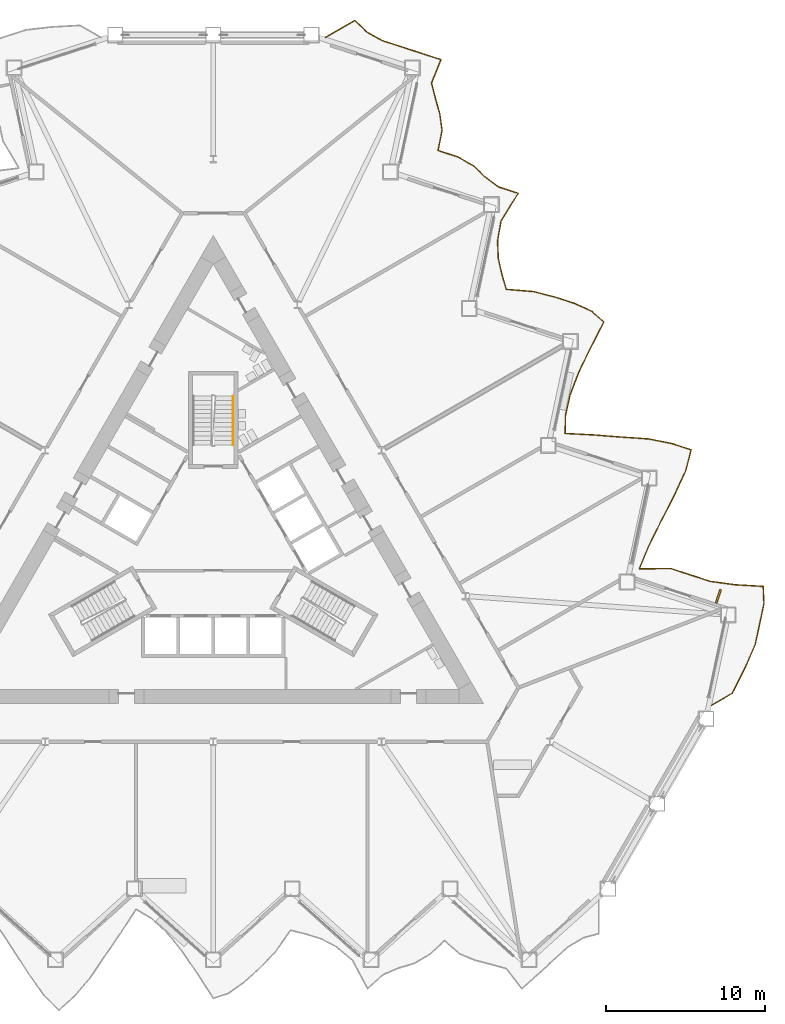
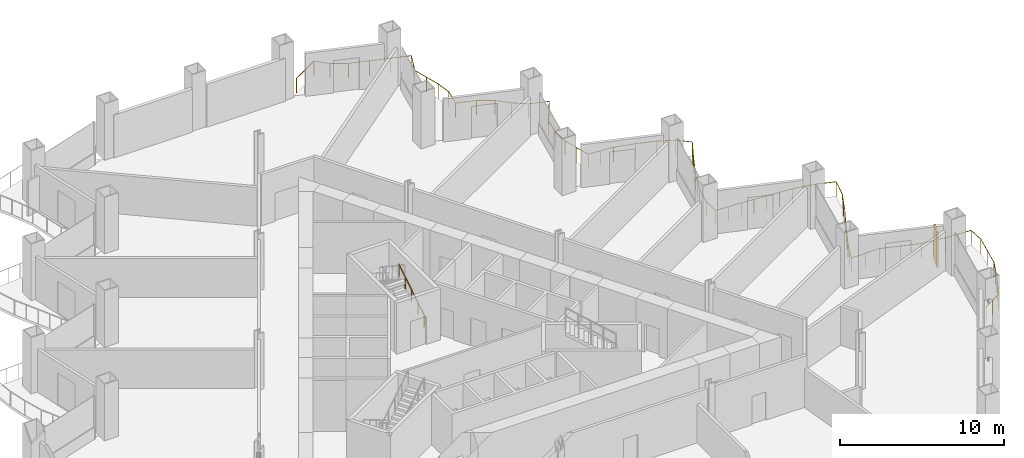
# One storey, part 19 of 21: 2 railings, 1 shading device.
"""IFC4 building model written with IfcOpenShell, lengths in metres."""

from ifc_helpers import new_model, si_unit, direction, frame, origin, origin_2d, place, context, subcontext, project, spatial, rectangle, circle, extrude, material, layer, layer_set, type_object, element, save


model = new_model("IFC4")

# Units and contexts
model_context = context("Model", 3, precision=1e-05, world=origin(), true_north=direction((0.0, 1.0)))
body_context = subcontext(model_context, "Body", "Model", "MODEL_VIEW")
ifc_project = project(units=[si_unit("LENGTHUNIT", "METRE"), si_unit("AREAUNIT", "SQUARE_METRE"), si_unit("VOLUMEUNIT", "CUBIC_METRE"), si_unit("PLANEANGLEUNIT", "RADIAN"), si_unit("MASSUNIT", "GRAM", prefix="KILO")], contexts=[model_context])

# Site, building, storey
site_placement = place(None, origin())
site = spatial("IfcSite", under=ifc_project, at=site_placement, CompositionType="ELEMENT")
building_placement = place(site_placement, origin())
building = spatial("IfcBuilding", under=site, at=building_placement, Name="Cormorant Prow Tower", CompositionType="ELEMENT")
storey_placement = place(building_placement, frame((0.0, 0.0, 46.800048828125)))
storey = spatial("IfcBuildingStorey", under=building, at=storey_placement, Name="L09", CompositionType="ELEMENT", Elevation=46.800048828125)

# Railings
ifc_material_1 = material(Name="Aluminium 6063-T6", Category="aluminium")
railing_type_1 = type_object("IfcRailingType", Name="Balcony guard 1100", PredefinedType="GUARDRAIL", material=ifc_material_1)
railing_1_placement = place(storey_placement, frame((31.3291015625, -9.928955078125, 0.0)))
element("IfcRailing", 1, at=railing_1_placement, inside=storey, type_object=railing_type_1, Name="Balcony guard ENE", PredefinedType="GUARDRAIL", context=body_context, shape_type="SweptSolid", body=[
    extrude(circle(Radius=0.02392578125, at=origin_2d()), frame((0.0, 0.0, 1.076171875), z_axis=(0.866030456496, 0.499991248344, 0.0), x_axis=(-0.499991248344, 0.866030456496, 0.0)), (0.0, 0.0, 1.0), 1.52001953125),
    extrude(circle(Radius=0.02392578125, at=origin_2d()), frame((1.31640625, 0.760009765625, 1.076171875), z_axis=(0.451937076677, 0.892049818522, 0.0), x_axis=(-0.892049818522, 0.451937076677, 0.0)), (0.0, 0.0, 1.0), 1.775634765625),
    extrude(circle(Radius=0.02392578125, at=origin_2d()), frame((2.118896484375, 2.343994140625, 1.076171875), z_axis=(0.39848525464, 0.917174738986, 0.0), x_axis=(-0.917174738986, 0.39848525464, 0.0)), (0.0, 0.0, 1.0), 1.630859375),
    extrude(circle(Radius=0.02392578125, at=origin_2d()), frame((2.768798828125, 3.83984375, 1.076171875), z_axis=(0.207894531291, 0.978151247946, 0.0), x_axis=(-0.978151247946, 0.207894531291, 0.0)), (0.0, 0.0, 1.0), 1.305908203125),
    extrude(circle(Radius=0.02392578125, at=origin_2d()), frame((3.040283203125, 5.1171875, 1.076171875), z_axis=(0.207856520253, 0.978159325973, 0.0), x_axis=(-0.978159325973, 0.207856520253, 0.0)), (0.0, 0.0, 1.0), 1.30615234375),
    extrude(circle(Radius=0.02392578125, at=origin_2d()), frame((3.311767578125, 6.394775390625, 1.076171875), z_axis=(-0.042827380547, 0.999082486823, 0.0), x_axis=(-0.999082486823, -0.042827380547, 0.0)), (0.0, 0.0, 1.0), 1.094482421875),
    extrude(circle(Radius=0.02392578125, at=origin_2d()), frame((3.264892578125, 7.48828125, 1.076171875), z_axis=(-0.998305217064, 0.058195305509, 0.0), x_axis=(-0.058195305509, -0.998305217064, 0.0)), (0.0, 0.0, 1.0), 1.76611328125),
    extrude(circle(Radius=0.02392578125, at=origin_2d()), frame((1.501708984375, 7.591064453125, 1.076171875), z_axis=(-0.990928266356, 0.134391855916, 0.0), x_axis=(-0.134391855916, -0.990928266356, 0.0)), (0.0, 0.0, 1.0), 1.5859375),
    extrude(circle(Radius=0.02392578125, at=origin_2d()), frame((-0.06982421875, 7.80419921875, 1.076171875), z_axis=(-0.951067031183, 0.308984631004, 0.0), x_axis=(-0.308984631004, -0.951067031183, 0.0)), (0.0, 0.0, 1.0), 1.30615234375),
    extrude(circle(Radius=0.02392578125, at=origin_2d()), frame((-1.31201171875, 8.207763671875, 1.076171875), z_axis=(-0.951012089022, 0.309153694033, 0.0), x_axis=(-0.309153694033, -0.951012089022, 0.0)), (0.0, 0.0, 1.0), 1.30615234375),
    extrude(circle(Radius=0.02392578125, at=origin_2d()), frame((-2.55419921875, 8.611572265625, 1.076171875), z_axis=(-0.999956902036, -0.009284076214, 0.0), x_axis=(0.009284076214, -0.999956902036, 0.0)), (0.0, 0.0, 1.0), 1.97216796875),
    extrude(circle(Radius=0.02392578125, at=origin_2d()), frame((-4.5263671875, 8.59326171875, 1.076171875), z_axis=(0.384029357558, 0.923320882756, 0.0), x_axis=(-0.923320882756, 0.384029357558, 0.0)), (0.0, 0.0, 1.0), 1.59765625),
    extrude(circle(Radius=0.02392578125, at=origin_2d()), frame((-3.912841796875, 10.068359375, 1.076171875), z_axis=(0.444874286248, 0.895593026679, 0.0), x_axis=(-0.895593026679, 0.444874286248, 0.0)), (0.0, 0.0, 1.0), 1.75439453125),
    extrude(circle(Radius=0.02392578125, at=origin_2d()), frame((-3.13232421875, 11.6396484375, 1.076171875), z_axis=(0.456252917829, 0.889850141862, 0.0), x_axis=(-0.889850141862, 0.456252917829, 0.0)), (0.0, 0.0, 1.0), 1.788818359375),
    extrude(circle(Radius=0.02392578125, at=origin_2d()), frame((-2.316162109375, 13.2314453125, 1.076171875), z_axis=(0.421357614178, 0.906894569933, 0.0), x_axis=(-0.906894569933, 0.421357614178, 0.0)), (0.0, 0.0, 1.0), 1.68896484375),
    extrude(circle(Radius=0.02392578125, at=origin_2d()), frame((-1.6044921875, 14.76318359375, 1.076171875), z_axis=(0.247192643153, 0.968966355025, 0.0), x_axis=(-0.968966355025, 0.247192643153, 0.0)), (0.0, 0.0, 1.0), 1.35595703125),
    extrude(circle(Radius=0.02392578125, at=origin_2d()), frame((-1.269287109375, 16.0771484375, 1.076171875), z_axis=(-0.951067031183, 0.308984631004, 0.0), x_axis=(-0.308984631004, -0.951067031183, 0.0)), (0.0, 0.0, 1.0), 1.30615234375),
    extrude(circle(Radius=0.02392578125, at=origin_2d()), frame((-2.511474609375, 16.480712890625, 1.076171875), z_axis=(-0.9812990528, 0.192489399639, 0.0), x_axis=(-0.192489399639, -0.9812990528, 0.0)), (0.0, 0.0, 1.0), 1.476318359375),
    extrude(circle(Radius=0.02392578125, at=origin_2d()), frame((-3.960205078125, 16.764892578125, 1.076171875), z_axis=(-0.99769363246, 0.067877947443, 0.0), x_axis=(-0.067877947443, -0.99769363246, 0.0)), (0.0, 0.0, 1.0), 1.74072265625),
    extrude(circle(Radius=0.02392578125, at=origin_2d()), frame((-5.697021484375, 16.883056640625, 1.076171875), z_axis=(-0.996974392807, 0.077730689486, 0.0), x_axis=(-0.077730689486, -0.996974392807, 0.0)), (0.0, 0.0, 1.0), 1.71484375),
    extrude(circle(Radius=0.02392578125, at=origin_2d()), frame((-7.40673828125, 17.016357421875, 1.076171875), z_axis=(-0.998683894035, 0.051288203268, 0.0), x_axis=(-0.051288203268, -0.998683894035, 0.0)), (0.0, 0.0, 1.0), 1.78515625),
    extrude(circle(Radius=0.02392578125, at=origin_2d()), frame((-9.189453125, 17.10791015625, 1.076171875), z_axis=(0.014901153141, 0.999888971654, 0.0), x_axis=(-0.999888971654, 0.014901153141, 0.0)), (0.0, 0.0, 1.0), 1.130615234375),
    extrude(circle(Radius=0.02392578125, at=origin_2d()), frame((-9.172607421875, 18.23828125, 1.076171875), z_axis=(0.218732722516, 0.975784810345, 0.0), x_axis=(-0.975784810345, 0.218732722516, 0.0)), (0.0, 0.0, 1.0), 1.3193359375),
    extrude(circle(Radius=0.02392578125, at=origin_2d()), frame((-8.884033203125, 19.525634765625, 1.076171875), z_axis=(0.359561509634, 0.933121385882, 0.0), x_axis=(-0.933121385882, 0.359561509634, 0.0)), (0.0, 0.0, 1.0), 1.544677734375),
    extrude(circle(Radius=0.02392578125, at=origin_2d()), frame((-8.32861328125, 20.967041015625, 1.076171875), z_axis=(0.434658027233, 0.900595580359, 0.0), x_axis=(-0.900595580359, 0.434658027233, 0.0)), (0.0, 0.0, 1.0), 1.724853515625),
    extrude(circle(Radius=0.02392578125, at=origin_2d()), frame((-7.578857421875, 22.5205078125, 1.076171875), z_axis=(0.457584866633, 0.889165951793, 0.0), x_axis=(-0.889165951793, 0.457584866633, 0.0)), (0.0, 0.0, 1.0), 1.793212890625),
    extrude(circle(Radius=0.02392578125, at=origin_2d()), frame((-6.75830078125, 24.114990234375, 1.076171875), z_axis=(-0.74665768623, 0.66520846326, 0.0), x_axis=(-0.66520846326, -0.74665768623, 0.0)), (0.0, 0.0, 1.0), 1.022216796875),
    extrude(circle(Radius=0.02392578125, at=origin_2d()), frame((-7.521484375, 24.794921875, 1.076171875), z_axis=(-0.909867877783, 0.414898113974, 0.0), x_axis=(-0.414898113974, -0.909867877783, 0.0)), (0.0, 0.0, 1.0), 1.192138671875),
    extrude(circle(Radius=0.02392578125, at=origin_2d()), frame((-8.606201171875, 25.28955078125, 1.076171875), z_axis=(-0.951104117502, 0.308870454514, 0.0), x_axis=(-0.308870454514, -0.951104117502, 0.0)), (0.0, 0.0, 1.0), 1.305908203125),
    extrude(circle(Radius=0.02392578125, at=origin_2d()), frame((-9.84814453125, 25.69287109375, 1.076171875), z_axis=(-0.969321725621, 0.245795427619, 0.0), x_axis=(-0.245795427619, -0.969321725621, 0.0)), (0.0, 0.0, 1.0), 1.3916015625),
    extrude(circle(Radius=0.02392578125, at=origin_2d()), frame((-11.197021484375, 26.034912109375, 1.076171875), z_axis=(-0.996719078187, 0.080938737196, 0.0), x_axis=(-0.080938737196, -0.996719078187, 0.0)), (0.0, 0.0, 1.0), 1.707275390625),
    extrude(circle(Radius=0.02392578125, at=origin_2d()), frame((-12.898681640625, 26.173095703125, 1.076171875), z_axis=(-0.276623125557, 0.960978483842, 0.0), x_axis=(-0.960978483842, -0.276623125557, 0.0)), (0.0, 0.0, 1.0), 1.0),
    extrude(circle(Radius=0.02392578125, at=origin_2d()), frame((-13.17529296875, 27.134033203125, 1.076171875), z_axis=(-0.219752211959, 0.975555721289, 0.0), x_axis=(-0.975555721289, -0.219752211959, 0.0)), (0.0, 0.0, 1.0), 1.0166015625),
    extrude(circle(Radius=0.02392578125, at=origin_2d()), frame((-13.398681640625, 28.125732421875, 1.076171875), z_axis=(-0.03985245054, 0.999205575538, 0.0), x_axis=(-0.999205575538, -0.03985245054, 0.0)), (0.0, 0.0, 1.0), 1.0966796875),
    extrude(circle(Radius=0.02392578125, at=origin_2d()), frame((-13.4423828125, 29.221435546875, 1.076171875), z_axis=(0.172122886005, 0.98507548549, 0.0), x_axis=(-0.98507548549, 0.172122886005, 0.0)), (0.0, 0.0, 1.0), 1.26513671875),
    extrude(circle(Radius=0.02392578125, at=origin_2d()), frame((-13.224609375, 30.4677734375, 1.076171875), z_axis=(0.52663716497, 0.850090169613, 0.0), x_axis=(-0.850090169613, 0.52663716497, 0.0)), (0.0, 0.0, 1.0), 2.05224609375),
    extrude(circle(Radius=0.02392578125, at=origin_2d()), frame((-12.143798828125, 32.21240234375, 1.076171875), z_axis=(-0.951067031183, 0.308984631004, 0.0), x_axis=(-0.308984631004, -0.951067031183, 0.0)), (0.0, 0.0, 1.0), 1.30615234375),
    extrude(circle(Radius=0.02392578125, at=origin_2d()), frame((-13.385986328125, 32.615966796875, 1.076171875), z_axis=(-0.801080678343, 0.598556385636, 0.0), x_axis=(-0.598556385636, -0.801080678343, 0.0)), (0.0, 0.0, 1.0), 1.055908203125),
    extrude(circle(Radius=0.02392578125, at=origin_2d()), frame((-14.23193359375, 33.248046875, 1.076171875), z_axis=(-0.724149407876, 0.689643121529, 0.0), x_axis=(-0.689643121529, -0.724149407876, 0.0)), (0.0, 0.0, 1.0), 1.01171875),
    extrude(circle(Radius=0.02392578125, at=origin_2d()), frame((-14.964599609375, 33.94580078125, 1.076171875), z_axis=(-0.869429020821, 0.494057868832, 0.0), x_axis=(-0.494057868832, -0.869429020821, 0.0)), (0.0, 0.0, 1.0), 1.125244140625),
    extrude(circle(Radius=0.02392578125, at=origin_2d()), frame((-15.94287109375, 34.501708984375, 1.076171875), z_axis=(-0.951067031183, 0.308984631004, 0.0), x_axis=(-0.308984631004, -0.951067031183, 0.0)), (0.0, 0.0, 1.0), 1.30615234375),
    extrude(circle(Radius=0.02392578125, at=origin_2d()), frame((-17.18505859375, 34.9052734375, 1.076171875), z_axis=(0.194842725712, 0.980834497883, 0.0), x_axis=(-0.980834497883, 0.194842725712, 0.0)), (0.0, 0.0, 1.0), 1.29052734375),
    extrude(circle(Radius=0.02392578125, at=origin_2d()), frame((-16.93359375, 36.171142578125, 1.076171875), z_axis=(-0.13926555414, 0.990255070893, 0.0), x_axis=(-0.990255070893, -0.13926555414, 0.0)), (0.0, 0.0, 1.0), 1.046630859375),
    extrude(circle(Radius=0.02392578125, at=origin_2d()), frame((-17.079345703125, 37.20751953125, 1.076171875), z_axis=(-0.266350260628, 0.963876308799, 0.0), x_axis=(-0.963876308799, -0.266350260628, 0.0)), (0.0, 0.0, 1.0), 1.002685546875),
    extrude(circle(Radius=0.02392578125, at=origin_2d()), frame((-17.346435546875, 38.174072265625, 1.076171875), z_axis=(-0.248118837614, 0.968729602325, 0.0), x_axis=(-0.968729602325, -0.248118837614, 0.0)), (0.0, 0.0, 1.0), 1.007568359375),
    extrude(circle(Radius=0.02392578125, at=origin_2d()), frame((-17.596435546875, 39.150146484375, 1.076171875), z_axis=(0.378416940637, 0.925635251619, 0.0), x_axis=(-0.925635251619, 0.378416940637, 0.0)), (0.0, 0.0, 1.0), 1.585205078125),
    extrude(circle(Radius=0.02392578125, at=origin_2d()), frame((-16.99658203125, 40.617431640625, 1.076171875), z_axis=(-0.951049180551, 0.309039570562, 0.0), x_axis=(-0.309039570562, -0.951049180551, 0.0)), (0.0, 0.0, 1.0), 1.305908203125),
    extrude(circle(Radius=0.02392578125, at=origin_2d()), frame((-18.238525390625, 41.02099609375, 1.076171875), z_axis=(-0.951067031183, 0.308984631004, 0.0), x_axis=(-0.308984631004, -0.951067031183, 0.0)), (0.0, 0.0, 1.0), 1.30615234375),
    extrude(circle(Radius=0.02392578125, at=origin_2d()), frame((-19.480712890625, 41.424560546875, 1.076171875), z_axis=(-0.951049180551, 0.309039570562, 0.0), x_axis=(-0.309039570562, -0.951049180551, 0.0)), (0.0, 0.0, 1.0), 1.305908203125),
    extrude(circle(Radius=0.02392578125, at=origin_2d()), frame((-20.72265625, 41.828125, 1.076171875), z_axis=(-0.872520761391, 0.488577036854, 0.0), x_axis=(-0.488577036854, -0.872520761391, 0.0)), (0.0, 0.0, 1.0), 1.12939453125),
    extrude(circle(Radius=0.02392578125, at=origin_2d()), frame((-21.7080078125, 42.3798828125, 1.076171875), z_axis=(-0.706985295616, 0.707228245889, 0.0), x_axis=(-0.707228245889, -0.706985295616, 0.0)), (0.0, 0.0, 1.0), 1.0048828125),
    extrude(circle(Radius=0.02392578125, at=origin_2d()), frame((-22.41845703125, 43.090576171875, 1.076171875), z_axis=(-0.865948903286, -0.500132479346, 0.0), x_axis=(0.500132479346, -0.865948903286, 0.0)), (0.0, 0.0, 1.0), 2.13037109375),
    extrude(circle(Radius=0.02099609375, at=origin_2d()), origin(), (0.0, 0.0, 1.0), 1.052001953125),
    extrude(circle(Radius=0.02099609375, at=origin_2d()), frame((0.658203125, 0.3798828125, 0.0)), (0.0, 0.0, 1.0), 1.052001953125),
    extrude(circle(Radius=0.02099609375, at=origin_2d()), frame((1.31640625, 0.760009765625, 0.0)), (0.0, 0.0, 1.0), 1.052001953125),
    extrude(circle(Radius=0.02099609375, at=origin_2d()), frame((1.7177734375, 1.552001953125, 0.0)), (0.0, 0.0, 1.0), 1.052001953125),
    extrude(circle(Radius=0.02099609375, at=origin_2d()), frame((2.118896484375, 2.343994140625, 0.0)), (0.0, 0.0, 1.0), 1.052001953125),
    extrude(circle(Radius=0.02099609375, at=origin_2d()), frame((2.44384765625, 3.091796875, 0.0)), (0.0, 0.0, 1.0), 1.052001953125),
    extrude(circle(Radius=0.02099609375, at=origin_2d()), frame((2.768798828125, 3.83984375, 0.0)), (0.0, 0.0, 1.0), 1.052001953125),
    extrude(circle(Radius=0.02099609375, at=origin_2d()), frame((3.040283203125, 5.1171875, 0.0)), (0.0, 0.0, 1.0), 1.052001953125),
    extrude(circle(Radius=0.02099609375, at=origin_2d()), frame((3.311767578125, 6.394775390625, 0.0)), (0.0, 0.0, 1.0), 1.052001953125),
    extrude(circle(Radius=0.02099609375, at=origin_2d()), frame((3.264892578125, 7.48828125, 0.0)), (0.0, 0.0, 1.0), 1.052001953125),
    extrude(circle(Radius=0.02099609375, at=origin_2d()), frame((2.38330078125, 7.53955078125, 0.0)), (0.0, 0.0, 1.0), 1.052001953125),
    extrude(circle(Radius=0.02099609375, at=origin_2d()), frame((1.501708984375, 7.591064453125, 0.0)), (0.0, 0.0, 1.0), 1.052001953125),
    extrude(circle(Radius=0.02099609375, at=origin_2d()), frame((0.7158203125, 7.69775390625, 0.0)), (0.0, 0.0, 1.0), 1.052001953125),
    extrude(circle(Radius=0.02099609375, at=origin_2d()), frame((-0.06982421875, 7.80419921875, 0.0)), (0.0, 0.0, 1.0), 1.052001953125),
    extrude(circle(Radius=0.02099609375, at=origin_2d()), frame((-1.31201171875, 8.207763671875, 0.0)), (0.0, 0.0, 1.0), 1.052001953125),
    extrude(circle(Radius=0.02099609375, at=origin_2d()), frame((-2.55419921875, 8.611572265625, 0.0)), (0.0, 0.0, 1.0), 1.052001953125),
    extrude(circle(Radius=0.02099609375, at=origin_2d()), frame((-3.540283203125, 8.6025390625, 0.0)), (0.0, 0.0, 1.0), 1.052001953125),
    extrude(circle(Radius=0.02099609375, at=origin_2d()), frame((-4.5263671875, 8.59326171875, 0.0)), (0.0, 0.0, 1.0), 1.052001953125),
    extrude(circle(Radius=0.02099609375, at=origin_2d()), frame((-4.2197265625, 9.330810546875, 0.0)), (0.0, 0.0, 1.0), 1.052001953125),
    extrude(circle(Radius=0.02099609375, at=origin_2d()), frame((-3.912841796875, 10.068359375, 0.0)), (0.0, 0.0, 1.0), 1.052001953125),
    extrude(circle(Radius=0.02099609375, at=origin_2d()), frame((-3.5224609375, 10.85400390625, 0.0)), (0.0, 0.0, 1.0), 1.052001953125),
    extrude(circle(Radius=0.02099609375, at=origin_2d()), frame((-3.13232421875, 11.6396484375, 0.0)), (0.0, 0.0, 1.0), 1.052001953125),
    extrude(circle(Radius=0.02099609375, at=origin_2d()), frame((-2.72412109375, 12.435546875, 0.0)), (0.0, 0.0, 1.0), 1.052001953125),
    extrude(circle(Radius=0.02099609375, at=origin_2d()), frame((-2.316162109375, 13.2314453125, 0.0)), (0.0, 0.0, 1.0), 1.052001953125),
    extrude(circle(Radius=0.02099609375, at=origin_2d()), frame((-1.96044921875, 13.997314453125, 0.0)), (0.0, 0.0, 1.0), 1.052001953125),
    extrude(circle(Radius=0.02099609375, at=origin_2d()), frame((-1.6044921875, 14.76318359375, 0.0)), (0.0, 0.0, 1.0), 1.052001953125),
    extrude(circle(Radius=0.02099609375, at=origin_2d()), frame((-1.269287109375, 16.0771484375, 0.0)), (0.0, 0.0, 1.0), 1.052001953125),
    extrude(circle(Radius=0.02099609375, at=origin_2d()), frame((-2.511474609375, 16.480712890625, 0.0)), (0.0, 0.0, 1.0), 1.052001953125),
    extrude(circle(Radius=0.02099609375, at=origin_2d()), frame((-3.960205078125, 16.764892578125, 0.0)), (0.0, 0.0, 1.0), 1.052001953125),
    extrude(circle(Radius=0.02099609375, at=origin_2d()), frame((-4.82861328125, 16.823974609375, 0.0)), (0.0, 0.0, 1.0), 1.052001953125),
    extrude(circle(Radius=0.02099609375, at=origin_2d()), frame((-5.697021484375, 16.883056640625, 0.0)), (0.0, 0.0, 1.0), 1.052001953125),
    extrude(circle(Radius=0.02099609375, at=origin_2d()), frame((-6.5517578125, 16.94970703125, 0.0)), (0.0, 0.0, 1.0), 1.052001953125),
    extrude(circle(Radius=0.02099609375, at=origin_2d()), frame((-7.40673828125, 17.016357421875, 0.0)), (0.0, 0.0, 1.0), 1.052001953125),
    extrude(circle(Radius=0.02099609375, at=origin_2d()), frame((-8.298095703125, 17.06201171875, 0.0)), (0.0, 0.0, 1.0), 1.052001953125),
    extrude(circle(Radius=0.02099609375, at=origin_2d()), frame((-9.189453125, 17.10791015625, 0.0)), (0.0, 0.0, 1.0), 1.052001953125),
    extrude(circle(Radius=0.02099609375, at=origin_2d()), frame((-9.172607421875, 18.23828125, 0.0)), (0.0, 0.0, 1.0), 1.052001953125),
    extrude(circle(Radius=0.02099609375, at=origin_2d()), frame((-8.884033203125, 19.525634765625, 0.0)), (0.0, 0.0, 1.0), 1.052001953125),
    extrude(circle(Radius=0.02099609375, at=origin_2d()), frame((-8.6064453125, 20.246337890625, 0.0)), (0.0, 0.0, 1.0), 1.052001953125),
    extrude(circle(Radius=0.02099609375, at=origin_2d()), frame((-8.32861328125, 20.967041015625, 0.0)), (0.0, 0.0, 1.0), 1.052001953125),
    extrude(circle(Radius=0.02099609375, at=origin_2d()), frame((-7.95361328125, 21.74365234375, 0.0)), (0.0, 0.0, 1.0), 1.052001953125),
    extrude(circle(Radius=0.02099609375, at=origin_2d()), frame((-7.578857421875, 22.5205078125, 0.0)), (0.0, 0.0, 1.0), 1.052001953125),
    extrude(circle(Radius=0.02099609375, at=origin_2d()), frame((-7.16845703125, 23.31787109375, 0.0)), (0.0, 0.0, 1.0), 1.052001953125),
    extrude(circle(Radius=0.02099609375, at=origin_2d()), frame((-6.75830078125, 24.114990234375, 0.0)), (0.0, 0.0, 1.0), 1.052001953125),
    extrude(circle(Radius=0.02099609375, at=origin_2d()), frame((-7.521484375, 24.794921875, 0.0)), (0.0, 0.0, 1.0), 1.052001953125),
    extrude(circle(Radius=0.02099609375, at=origin_2d()), frame((-8.606201171875, 25.28955078125, 0.0)), (0.0, 0.0, 1.0), 1.052001953125),
    extrude(circle(Radius=0.02099609375, at=origin_2d()), frame((-9.84814453125, 25.69287109375, 0.0)), (0.0, 0.0, 1.0), 1.052001953125),
    extrude(circle(Radius=0.02099609375, at=origin_2d()), frame((-11.197021484375, 26.034912109375, 0.0)), (0.0, 0.0, 1.0), 1.052001953125),
    extrude(circle(Radius=0.02099609375, at=origin_2d()), frame((-12.0478515625, 26.10400390625, 0.0)), (0.0, 0.0, 1.0), 1.052001953125),
    extrude(circle(Radius=0.02099609375, at=origin_2d()), frame((-12.898681640625, 26.173095703125, 0.0)), (0.0, 0.0, 1.0), 1.052001953125),
    extrude(circle(Radius=0.02099609375, at=origin_2d()), frame((-13.17529296875, 27.134033203125, 0.0)), (0.0, 0.0, 1.0), 1.052001953125),
    extrude(circle(Radius=0.02099609375, at=origin_2d()), frame((-13.398681640625, 28.125732421875, 0.0)), (0.0, 0.0, 1.0), 1.052001953125),
    extrude(circle(Radius=0.02099609375, at=origin_2d()), frame((-13.4423828125, 29.221435546875, 0.0)), (0.0, 0.0, 1.0), 1.052001953125),
    extrude(circle(Radius=0.02099609375, at=origin_2d()), frame((-13.224609375, 30.4677734375, 0.0)), (0.0, 0.0, 1.0), 1.052001953125),
    extrude(circle(Radius=0.02099609375, at=origin_2d()), frame((-12.68408203125, 31.340087890625, 0.0)), (0.0, 0.0, 1.0), 1.052001953125),
    extrude(circle(Radius=0.02099609375, at=origin_2d()), frame((-12.143798828125, 32.21240234375, 0.0)), (0.0, 0.0, 1.0), 1.052001953125),
    extrude(circle(Radius=0.02099609375, at=origin_2d()), frame((-13.385986328125, 32.615966796875, 0.0)), (0.0, 0.0, 1.0), 1.052001953125),
    extrude(circle(Radius=0.02099609375, at=origin_2d()), frame((-14.23193359375, 33.248046875, 0.0)), (0.0, 0.0, 1.0), 1.052001953125),
    extrude(circle(Radius=0.02099609375, at=origin_2d()), frame((-14.964599609375, 33.94580078125, 0.0)), (0.0, 0.0, 1.0), 1.052001953125),
    extrude(circle(Radius=0.02099609375, at=origin_2d()), frame((-15.94287109375, 34.501708984375, 0.0)), (0.0, 0.0, 1.0), 1.052001953125),
    extrude(circle(Radius=0.02099609375, at=origin_2d()), frame((-17.18505859375, 34.9052734375, 0.0)), (0.0, 0.0, 1.0), 1.052001953125),
    extrude(circle(Radius=0.02099609375, at=origin_2d()), frame((-16.93359375, 36.171142578125, 0.0)), (0.0, 0.0, 1.0), 1.052001953125),
    extrude(circle(Radius=0.02099609375, at=origin_2d()), frame((-17.079345703125, 37.20751953125, 0.0)), (0.0, 0.0, 1.0), 1.052001953125),
    extrude(circle(Radius=0.02099609375, at=origin_2d()), frame((-17.346435546875, 38.174072265625, 0.0)), (0.0, 0.0, 1.0), 1.052001953125),
    extrude(circle(Radius=0.02099609375, at=origin_2d()), frame((-17.596435546875, 39.150146484375, 0.0)), (0.0, 0.0, 1.0), 1.052001953125),
    extrude(circle(Radius=0.02099609375, at=origin_2d()), frame((-17.29638671875, 39.8837890625, 0.0)), (0.0, 0.0, 1.0), 1.052001953125),
    extrude(circle(Radius=0.02099609375, at=origin_2d()), frame((-16.99658203125, 40.617431640625, 0.0)), (0.0, 0.0, 1.0), 1.052001953125),
    extrude(circle(Radius=0.02099609375, at=origin_2d()), frame((-18.238525390625, 41.02099609375, 0.0)), (0.0, 0.0, 1.0), 1.052001953125),
    extrude(circle(Radius=0.02099609375, at=origin_2d()), frame((-19.480712890625, 41.424560546875, 0.0)), (0.0, 0.0, 1.0), 1.052001953125),
    extrude(circle(Radius=0.02099609375, at=origin_2d()), frame((-20.72265625, 41.828125, 0.0)), (0.0, 0.0, 1.0), 1.052001953125),
    extrude(circle(Radius=0.02099609375, at=origin_2d()), frame((-21.7080078125, 42.3798828125, 0.0)), (0.0, 0.0, 1.0), 1.052001953125),
    extrude(circle(Radius=0.02099609375, at=origin_2d()), frame((-22.41845703125, 43.090576171875, 0.0)), (0.0, 0.0, 1.0), 1.052001953125),
    extrude(circle(Radius=0.02099609375, at=origin_2d()), frame((-23.3408203125, 42.557861328125, 0.0)), (0.0, 0.0, 1.0), 1.052001953125),
    extrude(circle(Radius=0.02099609375, at=origin_2d()), frame((-24.26318359375, 42.025146484375, 0.0)), (0.0, 0.0, 1.0), 1.052001953125),
])
ifc_material_2 = material(Name="Stainless steel", Category="steel")
railing_type_2 = type_object("IfcRailingType", Name="Stair handrail 900", PredefinedType="HANDRAIL", material=ifc_material_2)
railing_2_placement = place(storey_placement, frame((1.243896484375, 6.455810546875, 0.175048828125)))
element("IfcRailing", 2, at=railing_2_placement, inside=storey, type_object=railing_type_2, Name="L09 ST3 stair handrail 1", PredefinedType="HANDRAIL", context=body_context, shape_type="SweptSolid", body=[
    extrude(circle(Radius=0.02392578125, at=origin_2d()), frame((0.0, 0.0, 0.8759765625), z_axis=(0.0, 0.848028513186, 0.529950602248), x_axis=(-1.0, 0.0, 0.0)), (0.0, 0.0, 1.0), 3.632080078125),
    extrude(circle(Radius=0.02099609375, at=origin_2d()), origin(), (0.0, 0.0, 1.0), 0.851806640625),
    extrude(circle(Radius=0.02099609375, at=origin_2d()), frame((0.0, 0.77001953125, 0.481201171875)), (0.0, 0.0, 1.0), 0.851806640625),
    extrude(circle(Radius=0.02099609375, at=origin_2d()), frame((0.0, 1.5400390625, 0.96240234375)), (0.0, 0.0, 1.0), 0.851806640625),
    extrude(circle(Radius=0.02099609375, at=origin_2d()), frame((0.0, 2.31005859375, 1.443603515625)), (0.0, 0.0, 1.0), 0.851806640625),
    extrude(circle(Radius=0.02099609375, at=origin_2d()), frame((0.0, 3.080078125, 1.9248046875)), (0.0, 0.0, 1.0), 0.851806640625),
])

# Shading device
ifc_material_3 = material(Name="Terracotta", Category="masonry")
ifc_layer = layer(ifc_material_3, 0.1201171875)
ifc_layer_set = layer_set([ifc_layer], Name="Terracotta")
shading_device_type = type_object("IfcShadingDeviceType", Name="Terracotta baguette fin 120x900x2600", PredefinedType="USERDEFINED", material=ifc_layer_set)
shading_device_placement = place(storey_placement, frame((31.77099609375, -3.068115234375, 0.0), z_axis=(0.0, 0.0, 1.0), x_axis=(-0.951056549556, 0.309016892008, 0.0)))
element("IfcShadingDevice", 3, at=shading_device_placement, inside=storey, type_object=shading_device_type, Name="Baguette fin ENE01", ObjectType="BAGUETTE", PredefinedType="USERDEFINED", context=body_context, shape_type="SweptSolid", body=[
    extrude(rectangle(XDim=0.1201171875, YDim=0.89990234375, at=origin_2d()), origin(), (0.0, 0.0, 1.0), 2.60009765625),
])

save(model, "model.ifc")
